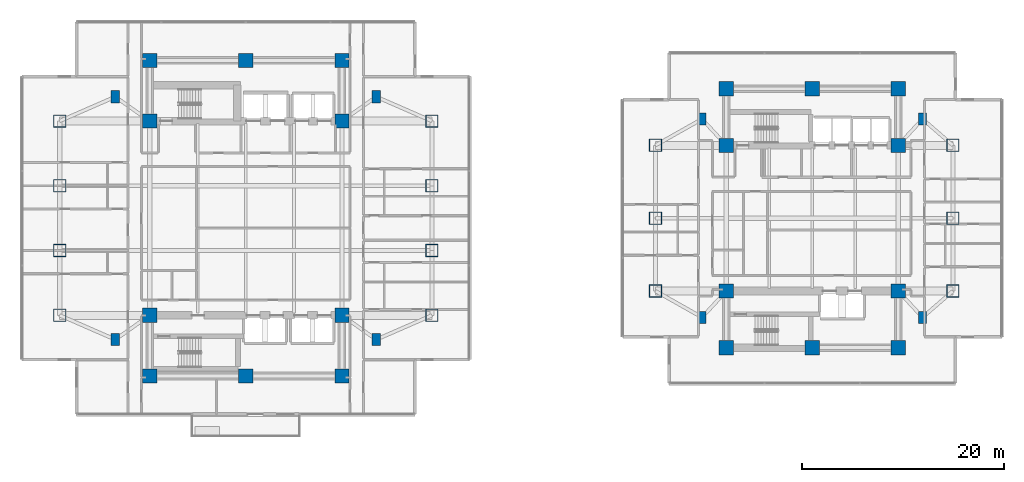
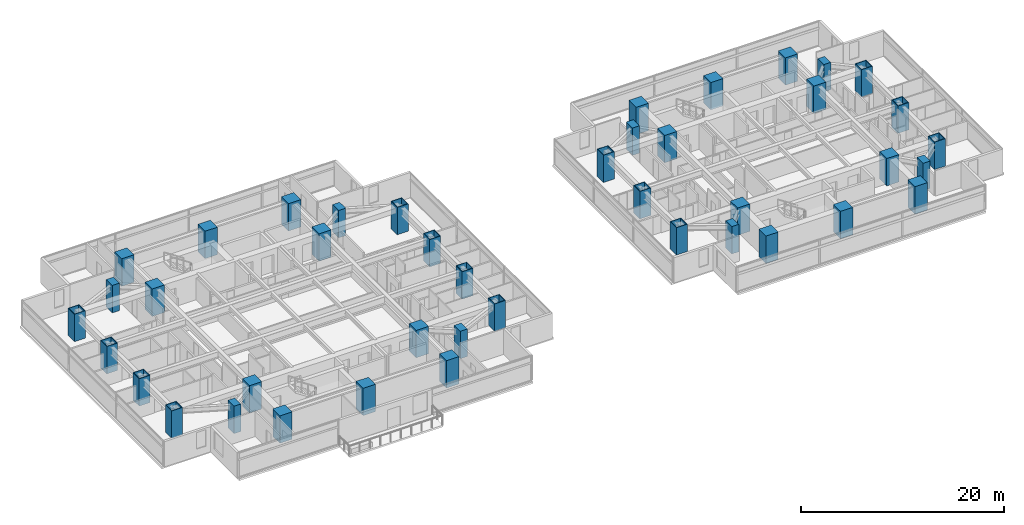
# One storey, part 1 of 25: 42 columns.
"""IFC4 building model written with IfcOpenShell, lengths in metres."""

from ifc_helpers import new_model, si_unit, direction, frame, origin, origin_2d, place, context, subcontext, project, spatial, rectangle, hollow_rectangle, extrude, material, material_profile, profile_set, type_object, element, save


model = new_model("IFC4")

# Units and contexts
model_context = context("Model", 3, precision=1e-05, world=origin(), true_north=direction((0.0, 1.0)))
body_context = subcontext(model_context, "Body", "Model", "MODEL_VIEW")
ifc_project = project(units=[si_unit("LENGTHUNIT", "METRE"), si_unit("AREAUNIT", "SQUARE_METRE"), si_unit("VOLUMEUNIT", "CUBIC_METRE"), si_unit("PLANEANGLEUNIT", "RADIAN"), si_unit("MASSUNIT", "GRAM", prefix="KILO")], contexts=[model_context])

# Site, building, storey
site_placement = place(None, origin())
site = spatial("IfcSite", under=ifc_project, at=site_placement, CompositionType="ELEMENT")
building_placement = place(site_placement, origin())
building = spatial("IfcBuilding", under=site, at=building_placement, Name="Mirazonda Arch Towers", CompositionType="ELEMENT")
storey_placement = place(building_placement, frame((0.0, 0.0, 35.60009765625)))
storey = spatial("IfcBuildingStorey", under=building, at=storey_placement, Name="L09", CompositionType="ELEMENT", Elevation=35.60009765625)

# Columns
ifc_material_1 = material(Name="Concrete C60/75", Category="concrete")
ifc_material_profile_1 = material_profile(ifc_material_1, rectangle(XDim=1.39990234375, YDim=1.39990234375, at=origin_2d()), Name="RC1400x1400")
ifc_profile_set_1 = profile_set([ifc_material_profile_1], Name="Concrete C60/75")
column_type_1 = type_object("IfcColumnType", Name="COL-INT-RC1400x1400", PredefinedType="COLUMN", material=ifc_profile_set_1)
for number, where, z_axis, x_axis, name in (
    (1, (11.0, 12.39990234375, 0.0), (0.0, 0.0, 1.0), (1.0, 0.0, 0.0), "L09 T1 Core Column 01"),
    (2, (20.5, 12.39990234375, 0.0), (0.0, 0.0, 1.0), (1.0, 0.0, 0.0), "L09 T1 Core Column 02"),
    (3, (30.0, 12.39990234375, 0.0), (0.0, 0.0, 1.0), (1.0, 0.0, 0.0), "L09 T1 Core Column 03"),
    (4, (11.0, 18.39990234375, 0.0), (0.0, 0.0, 1.0), (1.0, 0.0, 0.0), "L09 T1 Core Column 04"),
    (5, (30.0, 18.39990234375, 0.0), (0.0, 0.0, 1.0), (1.0, 0.0, 0.0), "L09 T1 Core Column 05"),
    (6, (11.0, 37.60009765625, 0.0), (0.0, 0.0, 1.0), (1.0, 0.0, 0.0), "L09 T1 Core Column 06"),
    (7, (30.0, 37.60009765625, 0.0), (0.0, 0.0, 1.0), (1.0, 0.0, 0.0), "L09 T1 Core Column 07"),
    (8, (11.0, 43.60009765625, 0.0), (0.0, 0.0, 1.0), (1.0, 0.0, 0.0), "L09 T1 Core Column 08"),
    (9, (20.5, 43.60009765625, 0.0), (0.0, 0.0, 1.0), (1.0, 0.0, 0.0), "L09 T1 Core Column 09"),
    (10, (30.0, 43.60009765625, 0.0), (0.0, 0.0, 1.0), (1.0, 0.0, 0.0), "L09 T1 Core Column 10"),
    (11, (68.0, 15.199951171875, 0.0), (0.0, 0.0, 1.0), (1.0, 0.0, 0.0), "L09 T2 Core Column 01"),
    (12, (76.5, 15.199951171875, 0.0), (0.0, 0.0, 1.0), (1.0, 0.0, 0.0), "L09 T2 Core Column 02"),
    (13, (85.0, 15.199951171875, 0.0), (0.0, 0.0, 1.0), (1.0, 0.0, 0.0), "L09 T2 Core Column 03"),
    (14, (68.0, 20.800048828125, 0.0), (0.0, 0.0, 1.0), (1.0, 0.0, 0.0), "L09 T2 Core Column 04"),
    (15, (85.0, 20.800048828125, 0.0), (0.0, 0.0, 1.0), (1.0, 0.0, 0.0), "L09 T2 Core Column 05"),
    (16, (68.0, 35.199951171875, 0.0), (0.0, 0.0, 1.0), (1.0, 0.0, 0.0), "L09 T2 Core Column 06"),
    (17, (85.0, 35.199951171875, 0.0), (0.0, 0.0, 1.0), (1.0, 0.0, 0.0), "L09 T2 Core Column 07"),
    (18, (68.0, 40.800048828125, 0.0), (0.0, 0.0, 1.0), (1.0, 0.0, 0.0), "L09 T2 Core Column 08"),
    (19, (76.5, 40.800048828125, 0.0), (0.0, 0.0, 1.0), (1.0, 0.0, 0.0), "L09 T2 Core Column 09"),
    (20, (85.0, 40.800048828125, 0.0), (0.0, 0.0, 1.0), (1.0, 0.0, 0.0), "L09 T2 Core Column 10"),
):
    element("IfcColumn", number, at=place(storey_placement, frame(where, z_axis=z_axis, x_axis=x_axis)), inside=storey, type_object=column_type_1, Name=name, PredefinedType="COLUMN", context=body_context, shape_type="SweptSolid", body=[
        extrude(rectangle(XDim=1.39990234375, YDim=1.39990234375, at=origin_2d()), origin(), (0.0, 0.0, 1.0), 3.2998046875),
    ])
ifc_material_2 = material(Name="Steel ASTM A572 Grade 50", Category="steel")
ifc_material_profile_2 = material_profile(ifc_material_2, hollow_rectangle(XDim=1.25, YDim=1.25, WallThickness=0.070068359375, at=origin_2d()), Name="BOX1250x1250x70")
ifc_profile_set_2 = profile_set([ifc_material_profile_2], Name="Steel ASTM A572 Grade 50")
column_type_2 = type_object("IfcColumnType", Name="MCOL-EXT-BOX1250x1250x70", PredefinedType="COLUMN", material=ifc_profile_set_2)
for number, where, z_axis, x_axis, name in (
    (21, (2.10009765625, 18.39990234375, 0.0), (0.0, 0.0, 1.0), (1.0, 0.0, 0.0), "L09 T1 Composite Mega-Column 01"),
    (22, (2.10009765625, 24.800048828125, 0.0), (0.0, 0.0, 1.0), (1.0, 0.0, 0.0), "L09 T1 Composite Mega-Column 02"),
    (23, (2.10009765625, 31.199951171875, 0.0), (0.0, 0.0, 1.0), (1.0, 0.0, 0.0), "L09 T1 Composite Mega-Column 03"),
    (24, (2.10009765625, 37.60009765625, 0.0), (0.0, 0.0, 1.0), (1.0, 0.0, 0.0), "L09 T1 Composite Mega-Column 04"),
    (25, (38.89990234375, 18.39990234375, 0.0), (0.0, 0.0, 1.0), (1.0, 0.0, 0.0), "L09 T1 Composite Mega-Column 05"),
    (26, (38.89990234375, 24.800048828125, 0.0), (0.0, 0.0, 1.0), (1.0, 0.0, 0.0), "L09 T1 Composite Mega-Column 06"),
    (27, (38.89990234375, 31.199951171875, 0.0), (0.0, 0.0, 1.0), (1.0, 0.0, 0.0), "L09 T1 Composite Mega-Column 07"),
    (28, (38.89990234375, 37.60009765625, 0.0), (0.0, 0.0, 1.0), (1.0, 0.0, 0.0), "L09 T1 Composite Mega-Column 08"),
    (29, (61.0, 20.800048828125, 0.0), (0.0, 0.0, 1.0), (1.0, 0.0, 0.0), "L09 T2 Composite Mega-Column 01"),
    (30, (61.0, 28.0, 0.0), (0.0, 0.0, 1.0), (1.0, 0.0, 0.0), "L09 T2 Composite Mega-Column 02"),
    (31, (61.0, 35.199951171875, 0.0), (0.0, 0.0, 1.0), (1.0, 0.0, 0.0), "L09 T2 Composite Mega-Column 03"),
    (32, (90.39990234375, 20.800048828125, 0.0), (0.0, 0.0, 1.0), (1.0, 0.0, 0.0), "L09 T2 Composite Mega-Column 04"),
    (33, (90.39990234375, 28.0, 0.0), (0.0, 0.0, 1.0), (1.0, 0.0, 0.0), "L09 T2 Composite Mega-Column 05"),
    (34, (90.39990234375, 35.199951171875, 0.0), (0.0, 0.0, 1.0), (1.0, 0.0, 0.0), "L09 T2 Composite Mega-Column 06"),
):
    element("IfcColumn", number, at=place(storey_placement, frame(where, z_axis=z_axis, x_axis=x_axis)), inside=storey, type_object=column_type_2, Name=name, PredefinedType="COLUMN", context=body_context, shape_type="SweptSolid", body=[
        extrude(hollow_rectangle(XDim=1.25, YDim=1.25, WallThickness=0.070068359375, at=origin_2d()), origin(), (0.0, 0.0, 1.0), 3.2998046875),
    ])
ifc_material_profile_3 = material_profile(ifc_material_1, rectangle(XDim=0.800048828125, YDim=1.199951171875, at=origin_2d()), Name="RC1200x800")
ifc_profile_set_3 = profile_set([ifc_material_profile_3], Name="Concrete C60/75")
column_type_3 = type_object("IfcColumnType", Name="PIL-EXT-RC1200x800", PredefinedType="PILASTER", material=ifc_profile_set_3)
for number, where, z_axis, x_axis, name in (
    (35, (7.60009765625, 16.0, 0.0), (0.0, 0.0, 1.0), (1.0, 0.0, 0.0), "L09 T1 Corner Pilaster 01"),
    (36, (33.39990234375, 16.0, 0.0), (0.0, 0.0, 1.0), (1.0, 0.0, 0.0), "L09 T1 Corner Pilaster 02"),
    (37, (7.60009765625, 40.0, 0.0), (0.0, 0.0, 1.0), (1.0, 0.0, 0.0), "L09 T1 Corner Pilaster 03"),
    (38, (33.39990234375, 40.0, 0.0), (0.0, 0.0, 1.0), (1.0, 0.0, 0.0), "L09 T1 Corner Pilaster 04"),
    (39, (65.60009765625, 18.199951171875, 0.0), (0.0, 0.0, 1.0), (1.0, 0.0, 0.0), "L09 T2 Corner Pilaster 01"),
    (40, (87.39990234375, 18.199951171875, 0.0), (0.0, 0.0, 1.0), (1.0, 0.0, 0.0), "L09 T2 Corner Pilaster 02"),
    (41, (65.60009765625, 37.800048828125, 0.0), (0.0, 0.0, 1.0), (1.0, 0.0, 0.0), "L09 T2 Corner Pilaster 03"),
    (42, (87.39990234375, 37.800048828125, 0.0), (0.0, 0.0, 1.0), (1.0, 0.0, 0.0), "L09 T2 Corner Pilaster 04"),
):
    element("IfcColumn", number, at=place(storey_placement, frame(where, z_axis=z_axis, x_axis=x_axis)), inside=storey, type_object=column_type_3, Name=name, PredefinedType="PILASTER", context=body_context, shape_type="SweptSolid", body=[
        extrude(rectangle(XDim=0.800048828125, YDim=1.199951171875, at=origin_2d()), origin(), (0.0, 0.0, 1.0), 3.2998046875),
    ])

save(model, "model.ifc")
